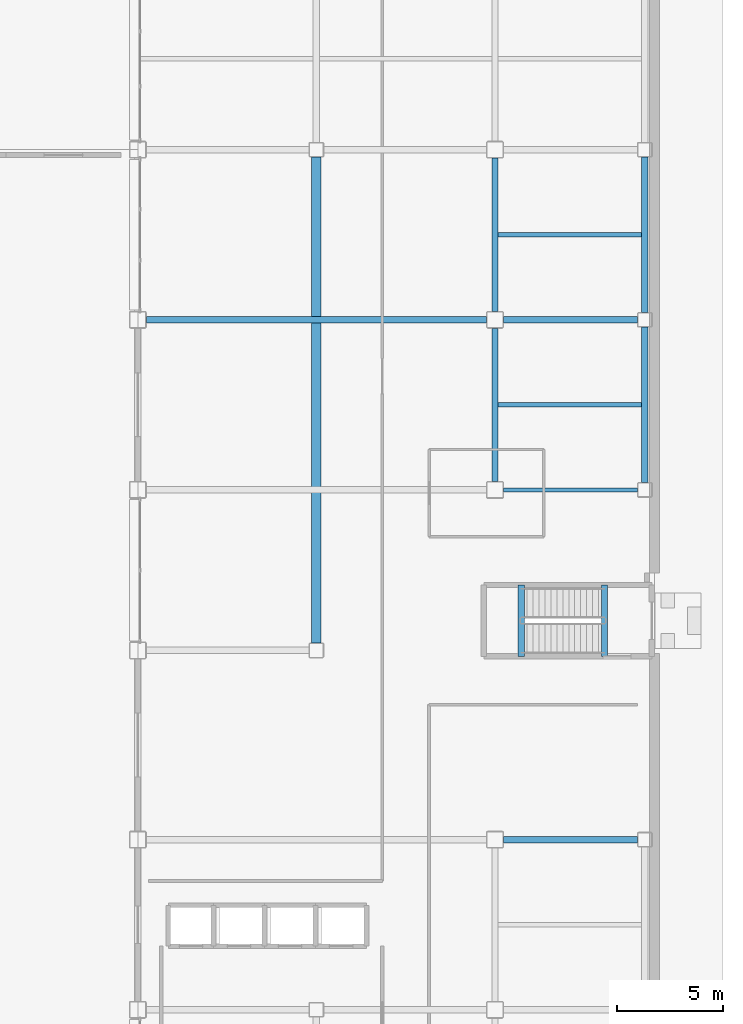
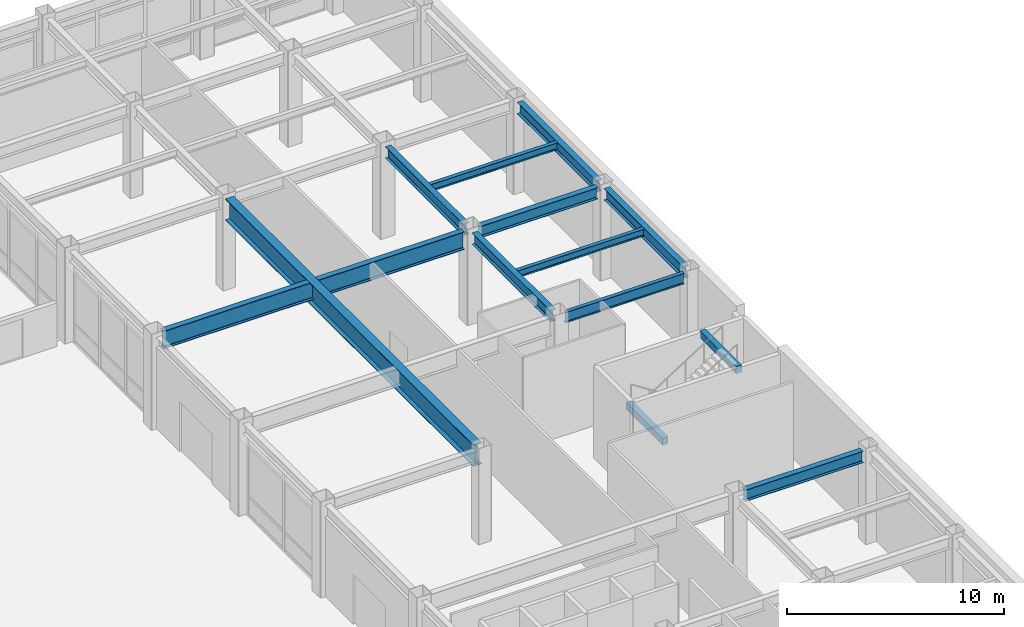
# One storey, part 104 of 165: 13 beams.
"""IFC4 building model written with IfcOpenShell, lengths in metres."""

from ifc_helpers import new_model, si_unit, direction, frame, origin, origin_2d, place, context, subcontext, project, spatial, rectangle, i_section, extrude, material, material_profile, profile_set, type_object, element, save


model = new_model("IFC4")

# Units and contexts
model_context = context("Model", 3, precision=1e-05, world=origin(), true_north=direction((0.0, 1.0)))
body_context = subcontext(model_context, "Body", "Model", "MODEL_VIEW")
ifc_project = project(units=[si_unit("LENGTHUNIT", "METRE"), si_unit("AREAUNIT", "SQUARE_METRE"), si_unit("VOLUMEUNIT", "CUBIC_METRE"), si_unit("PLANEANGLEUNIT", "RADIAN"), si_unit("MASSUNIT", "GRAM", prefix="KILO")], contexts=[model_context])

# Site, building, storey
site_placement = place(None, origin())
site = spatial("IfcSite", under=ifc_project, at=site_placement, CompositionType="ELEMENT")
building_placement = place(site_placement, origin())
building = spatial("IfcBuilding", under=site, at=building_placement, Name="Kazehara Bluff Congress Hotel", CompositionType="ELEMENT")
storey_placement = place(building_placement, origin())
storey = spatial("IfcBuildingStorey", under=building, at=storey_placement, Name="L00", CompositionType="ELEMENT", Elevation=0.0)

# Beams
ifc_material_1 = material(Name="Steel SN490B", Category="steel")
ifc_material_profile_1 = material_profile(ifc_material_1, i_section(OverallWidth=0.300048828125, OverallDepth=0.64990234375, WebThickness=0.011962890625, FlangeThickness=0.02001953125, FilletRadius=0.012939453125, at=origin_2d()))
ifc_profile_set_1 = profile_set([ifc_material_profile_1], Name="Steel SN490B")
beam_type_1 = type_object("IfcBeamType", Name="TP-G-03", PredefinedType="BEAM", material=ifc_profile_set_1)
for number, where, z_axis, x_axis, name in (
    (1, (160.5, 81.300048828125, 4.824951171875), (0.0, 1.0, 0.0), (-1.0, 0.0, 0.0), "L00 girder G-03 256"),
    (2, (160.5, 89.300048828125, 4.824951171875), (0.0, 1.0, 0.0), (-1.0, 0.0, 0.0), "L00 girder G-03 257"),
):
    element("IfcBeam", number, at=place(storey_placement, frame(where, z_axis=z_axis, x_axis=x_axis)), inside=storey, type_object=beam_type_1, Name=name, PredefinedType="BEAM", context=body_context, shape_type="SweptSolid", body=[
        extrude(i_section(OverallWidth=0.300048828125, OverallDepth=0.64990234375, WebThickness=0.011962890625, FlangeThickness=0.02001953125, FilletRadius=0.012939453125, at=origin_2d()), origin(), (0.0, 0.0, 1.0), 7.199951171875),
    ])
for number, where, z_axis, x_axis, name in (
    (3, (167.550048828125, 81.25, 4.824951171875), (0.0, 1.0, 0.0), (-1.0, 0.0, 0.0), "L00 girder G-03 267"),
    (4, (167.550048828125, 89.25, 4.824951171875), (0.0, 1.0, 0.0), (-1.0, 0.0, 0.0), "L00 girder G-03 268"),
):
    element("IfcBeam", number, at=place(storey_placement, frame(where, z_axis=z_axis, x_axis=x_axis)), inside=storey, type_object=beam_type_1, Name=name, PredefinedType="BEAM", context=body_context, shape_type="SweptSolid", body=[
        extrude(i_section(OverallWidth=0.300048828125, OverallDepth=0.64990234375, WebThickness=0.011962890625, FlangeThickness=0.02001953125, FilletRadius=0.012939453125, at=origin_2d()), origin(), (0.0, 0.0, 1.0), 7.300048828125),
    ])
for number, where, z_axis, x_axis, name in (
    (5, (160.89990234375, 64.449951171875, 4.824951171875), (1.0, 0.0, 0.0), (0.0, 1.0, 0.0), "L00 girder G-03 304"),
    (6, (160.89990234375, 88.89990234375, 4.824951171875), (1.0, 0.0, 0.0), (0.0, 1.0, 0.0), "L00 girder G-03 309"),
):
    element("IfcBeam", number, at=place(storey_placement, frame(where, z_axis=z_axis, x_axis=x_axis)), inside=storey, type_object=beam_type_1, Name=name, PredefinedType="BEAM", context=body_context, shape_type="SweptSolid", body=[
        extrude(i_section(OverallWidth=0.300048828125, OverallDepth=0.64990234375, WebThickness=0.011962890625, FlangeThickness=0.02001953125, FilletRadius=0.012939453125, at=origin_2d()), origin(), (0.0, 0.0, 1.0), 6.300048828125),
    ])
ifc_material_2 = material(Name="Steel SN490B", Category="steel")
ifc_material_profile_2 = material_profile(ifc_material_2, i_section(OverallWidth=0.300048828125, OverallDepth=1.0, WebThickness=0.01611328125, FlangeThickness=0.028076171875, FilletRadius=0.02197265625, at=origin_2d()))
ifc_profile_set_2 = profile_set([ifc_material_profile_2], Name="Steel SN490B")
beam_type_2 = type_object("IfcBeamType", Name="TP-G-09", PredefinedType="BEAM", material=ifc_profile_set_2)
beam_1_placement = place(storey_placement, frame((144.10009765625, 88.89990234375, 4.64990234375), z_axis=(1.0, 0.0, 0.0), x_axis=(0.0, 1.0, 0.0)))
element("IfcBeam", 7, at=beam_1_placement, inside=storey, type_object=beam_type_2, Name="L00 girder G-09 308", PredefinedType="BEAM", context=body_context, shape_type="SweptSolid", body=[
    extrude(i_section(OverallWidth=0.300048828125, OverallDepth=1.0, WebThickness=0.01611328125, FlangeThickness=0.028076171875, FilletRadius=0.02197265625, at=origin_2d()), origin(), (0.0, 0.0, 1.0), 16.0),
])
ifc_material_3 = material(Name="Steel SN490B", Category="steel")
ifc_material_profile_3 = material_profile(ifc_material_3, i_section(OverallWidth=0.449951171875, OverallDepth=1.199951171875, WebThickness=0.02001953125, FlangeThickness=0.031982421875, at=origin_2d()))
ifc_profile_set_3 = profile_set([ifc_material_profile_3], Name="Steel SN490B")
beam_type_3 = type_object("IfcBeamType", Name="TP-G-10", PredefinedType="BEAM", material=ifc_profile_set_3)
beam_2_placement = place(storey_placement, frame((152.10009765625, 73.699951171875, 4.550048828125), z_axis=(0.0, 1.0, 0.0), x_axis=(-1.0, 0.0, 0.0)))
element("IfcBeam", 8, at=beam_2_placement, inside=storey, type_object=beam_type_3, Name="L00 girder G-10 246", PredefinedType="BEAM", context=body_context, shape_type="SweptSolid", body=[
    extrude(i_section(OverallWidth=0.449951171875, OverallDepth=1.199951171875, WebThickness=0.02001953125, FlangeThickness=0.031982421875, at=origin_2d()), origin(), (0.0, 0.0, 1.0), 22.85009765625),
])
ifc_material_4 = material(Name="Steel SN400B", Category="steel")
ifc_material_profile_4 = material_profile(ifc_material_4, i_section(OverallWidth=0.199951171875, OverallDepth=0.39990234375, WebThickness=0.008056640625, FlangeThickness=0.012939453125, FilletRadius=0.012939453125, at=origin_2d()))
ifc_profile_set_4 = profile_set([ifc_material_profile_4], Name="Steel SN400B")
beam_type_4 = type_object("IfcBeamType", Name="TP-J-03", PredefinedType="JOIST", material=ifc_profile_set_4)
for number, where, z_axis, x_axis, name in (
    (9, (160.64990234375, 84.89990234375, 4.949951171875), (1.0, 0.0, 0.0), (0.0, 1.0, 0.0), "L00 secondary joist J-03 76"),
    (10, (160.64990234375, 92.89990234375, 4.949951171875), (1.0, 0.0, 0.0), (0.0, 1.0, 0.0), "L00 secondary joist J-03 77"),
):
    element("IfcBeam", number, at=place(storey_placement, frame(where, z_axis=z_axis, x_axis=x_axis)), inside=storey, type_object=beam_type_4, Name=name, PredefinedType="JOIST", context=body_context, shape_type="SweptSolid", body=[
        extrude(i_section(OverallWidth=0.199951171875, OverallDepth=0.39990234375, WebThickness=0.008056640625, FlangeThickness=0.012939453125, FilletRadius=0.012939453125, at=origin_2d()), origin(), (0.0, 0.0, 1.0), 6.75),
    ])
ifc_material_5 = material(Name="Concrete C40/50", Category="concrete")
ifc_material_profile_5 = material_profile(ifc_material_5, rectangle(XDim=0.300048828125, YDim=0.39990234375, at=origin_2d()))
ifc_profile_set_5 = profile_set([ifc_material_profile_5], Name="Concrete C40/50")
beam_type_5 = type_object("IfcBeamType", Name="TP-LN-02", PredefinedType="LINTEL", material=ifc_profile_set_5)
for number, where, z_axis, x_axis, name in (
    (11, (161.72998046875, 76.425048828125, 2.320068359375), (0.0, -1.0, 0.0), (1.0, 0.0, 0.0), "L00 ST-12 half-landing support beam 1"),
    (12, (165.64990234375, 76.425048828125, 4.969970703125), (0.0, -1.0, 0.0), (1.0, 0.0, 0.0), "L01 ST-12 stairwell trimmer beam"),
):
    element("IfcBeam", number, at=place(storey_placement, frame(where, z_axis=z_axis, x_axis=x_axis)), inside=storey, type_object=beam_type_5, Name=name, PredefinedType="LINTEL", context=body_context, shape_type="SweptSolid", body=[
        extrude(rectangle(XDim=0.300048828125, YDim=0.39990234375, at=origin_2d()), origin(), (0.0, 0.0, 1.0), 3.35009765625),
    ])
ifc_material_6 = material(Name="Steel SN490B", Category="steel")
ifc_material_profile_6 = material_profile(ifc_material_6, i_section(OverallWidth=0.199951171875, OverallDepth=0.60009765625, WebThickness=0.010986328125, FlangeThickness=0.01708984375, FilletRadius=0.012939453125, at=origin_2d()))
ifc_profile_set_6 = profile_set([ifc_material_profile_6], Name="Steel SN490B")
beam_type_6 = type_object("IfcBeamType", Name="TP-SP-02", PredefinedType="SPANDREL", material=ifc_profile_set_6)
beam_3_placement = place(storey_placement, frame((160.89990234375, 80.89990234375, 4.85009765625), z_axis=(1.0, 0.0, 0.0), x_axis=(0.0, 1.0, 0.0)))
element("IfcBeam", 13, at=beam_3_placement, inside=storey, type_object=beam_type_6, Name="L00 girder SP-02 307", PredefinedType="SPANDREL", context=body_context, shape_type="SweptSolid", body=[
    extrude(i_section(OverallWidth=0.199951171875, OverallDepth=0.60009765625, WebThickness=0.010986328125, FlangeThickness=0.01708984375, FilletRadius=0.012939453125, at=origin_2d()), origin(), (0.0, 0.0, 1.0), 6.300048828125),
])

save(model, "model.ifc")
